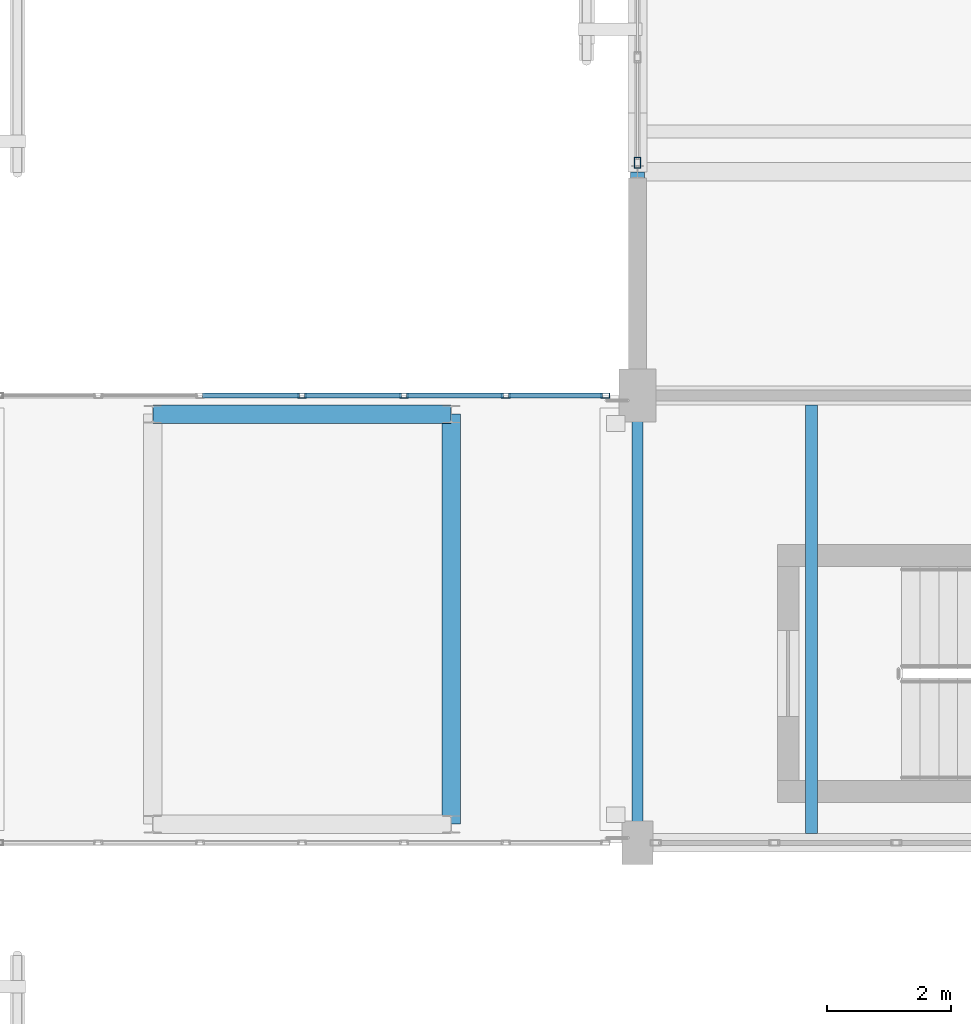
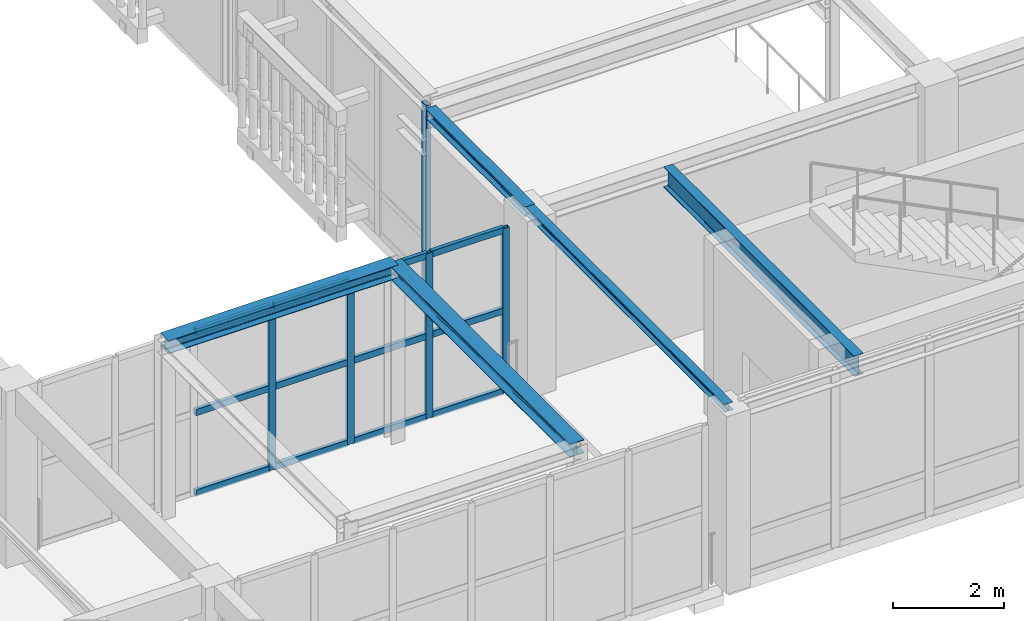
# One storey, part 69 of 170: 17 members, 5 beams, 2 elements without a shape of their own.
"""IFC4 building model written with IfcOpenShell, lengths in metres."""

from ifc_helpers import new_model, si_unit, direction, frame, origin, origin_2d, place, context, subcontext, project, spatial, hollow_rectangle, i_section, extrude, material, layer, layer_set, material_profile, profile_set, type_object, element, aggregate, save


model = new_model("IFC4")

# Units and contexts
model_context = context("Model", 3, precision=1e-05, world=origin(), true_north=direction((0.0, 1.0)))
body_context = subcontext(model_context, "Body", "Model", "MODEL_VIEW")
ifc_project = project(units=[si_unit("LENGTHUNIT", "METRE"), si_unit("AREAUNIT", "SQUARE_METRE"), si_unit("VOLUMEUNIT", "CUBIC_METRE"), si_unit("PLANEANGLEUNIT", "RADIAN"), si_unit("MASSUNIT", "GRAM", prefix="KILO")], contexts=[model_context])

# Site, building, storey
site_placement = place(None, origin())
site = spatial("IfcSite", under=ifc_project, at=site_placement, CompositionType="ELEMENT")
building_placement = place(site_placement, origin())
building = spatial("IfcBuilding", under=site, at=building_placement, Name="Mazaris Harbour Polytechnic", CompositionType="ELEMENT")
storey_placement = place(building_placement, frame((0.0, 0.0, 5.39990234375)))
storey = spatial("IfcBuildingStorey", under=building, at=storey_placement, Name="L01", CompositionType="ELEMENT", Elevation=5.39990234375)

# Curtain wall, member
ifc_material_1 = material(Name="Anodised Bronze Aluminium and Low-E Glass", Category="aluminium")
ifc_layer_1 = layer(ifc_material_1, 0.14990234375, Name="Anodised Bronze Aluminium and Low-E Glass")
ifc_layer_set_1 = layer_set([ifc_layer_1], Name="Anodised Bronze Aluminium and Low-E Glass")
curtain_wall_type_1 = type_object("IfcCurtainWallType", Name="Workshop Clerestory Curtain Wall", PredefinedType="NOTDEFINED", material=ifc_layer_set_1)
curtain_wall_1_placement = place(storey_placement, origin())
curtain_wall_1 = element("IfcCurtainWall", 1, at=curtain_wall_1_placement, inside=storey, type_object=curtain_wall_type_1, Name="V1 L01 Curtain Wall 21", PredefinedType="NOTDEFINED")
ifc_material_2 = material(Name="Anodised Bronze Steel S355", Category="steel")
ifc_material_profile_1 = material_profile(ifc_material_2, hollow_rectangle(XDim=0.10009765625, YDim=0.179931640625, WallThickness=0.008056640625, at=origin_2d()), Name="RHS 100x180x8.0")
ifc_profile_set_1 = profile_set([ifc_material_profile_1], Name="Anodised Bronze Steel S355")
member_type_1 = type_object("IfcMemberType", Name="Curtain Mullion RHS100x180", PredefinedType="MULLION", material=ifc_profile_set_1)
member_1_placement = place(storey_placement, frame((54.0, 86.547119140625, 0.0), z_axis=(0.0, 0.0, 1.0), x_axis=(-1.0, 0.0, 0.0)))
member_1 = element("IfcMember", 2, at=member_1_placement, type_object=member_type_1, Name="CW-04 mullion 1", PredefinedType="MULLION", context=body_context, shape_type="SweptSolid", body=[
    extrude(hollow_rectangle(XDim=0.10009765625, YDim=0.179931640625, WallThickness=0.008056640625, at=origin_2d()), origin(), (0.0, 0.0, 1.0), 3.920166015625),
])
aggregate(curtain_wall_1, [member_1])

# Curtain wall, members
ifc_material_3 = material(Name="Anodised Bronze Aluminium and Low-E Glass", Category="aluminium")
ifc_layer_2 = layer(ifc_material_3, 0.139892578125, Name="Anodised Bronze Aluminium and Low-E Glass")
ifc_layer_set_2 = layer_set([ifc_layer_2], Name="Anodised Bronze Aluminium and Low-E Glass")
curtain_wall_type_2 = type_object("IfcCurtainWallType", Name="Seismic Link Bridge Glazing", PredefinedType="NOTDEFINED", material=ifc_layer_set_2)
curtain_wall_2_placement = place(storey_placement, origin())
curtain_wall_2 = element("IfcCurtainWall", 3, at=curtain_wall_2_placement, inside=storey, type_object=curtain_wall_type_2, Name="PB-W2 L01 Bridge Glazing", PredefinedType="NOTDEFINED")
ifc_material_4 = material(Name="Anodised Bronze Steel S355", Category="steel")
ifc_material_profile_2 = material_profile(ifc_material_4, hollow_rectangle(XDim=0.080078125, YDim=0.139892578125, WallThickness=0.00634765625, at=origin_2d()), Name="RHS 80x140x6.3")
ifc_profile_set_2 = profile_set([ifc_material_profile_2], Name="Anodised Bronze Steel S355")
member_type_2 = type_object("IfcMemberType", Name="Curtain Mullion RHS80x140", PredefinedType="MULLION", material=ifc_profile_set_2)
member_2_placement = place(storey_placement, frame((53.47998046875, 82.800048828125, 0.0), z_axis=(0.0, 0.0, 1.0), x_axis=(0.0, -1.0, 0.0)))
member_2 = element("IfcMember", 4, at=member_2_placement, type_object=member_type_2, Name="CW-05 mullion 1", PredefinedType="MULLION", context=body_context, shape_type="SweptSolid", body=[
    extrude(hollow_rectangle(XDim=0.080078125, YDim=0.139892578125, WallThickness=0.00634765625, at=origin_2d()), origin(), (0.0, 0.0, 1.0), 3.635009765625),
])
member_3_placement = place(storey_placement, frame((51.8798828125, 82.800048828125, 0.0), z_axis=(0.0, 0.0, 1.0), x_axis=(0.0, -1.0, 0.0)))
member_3 = element("IfcMember", 5, at=member_3_placement, type_object=member_type_2, Name="CW-05 mullion 2", PredefinedType="MULLION", context=body_context, shape_type="SweptSolid", body=[
    extrude(hollow_rectangle(XDim=0.080078125, YDim=0.139892578125, WallThickness=0.00634765625, at=origin_2d()), origin(), (0.0, 0.0, 1.0), 3.635009765625),
])
member_4_placement = place(storey_placement, frame((50.239990234375, 82.800048828125, 0.0), z_axis=(0.0, 0.0, 1.0), x_axis=(0.0, -1.0, 0.0)))
member_4 = element("IfcMember", 6, at=member_4_placement, type_object=member_type_2, Name="CW-05 mullion 3", PredefinedType="MULLION", context=body_context, shape_type="SweptSolid", body=[
    extrude(hollow_rectangle(XDim=0.080078125, YDim=0.139892578125, WallThickness=0.00634765625, at=origin_2d()), origin(), (0.0, 0.0, 1.0), 3.635009765625),
])
member_5_placement = place(storey_placement, frame((48.60009765625, 82.800048828125, 0.0), z_axis=(0.0, 0.0, 1.0), x_axis=(0.0, -1.0, 0.0)))
member_5 = element("IfcMember", 7, at=member_5_placement, type_object=member_type_2, Name="CW-05 mullion 4", PredefinedType="MULLION", context=body_context, shape_type="SweptSolid", body=[
    extrude(hollow_rectangle(XDim=0.080078125, YDim=0.139892578125, WallThickness=0.00634765625, at=origin_2d()), origin(), (0.0, 0.0, 1.0), 3.635009765625),
])
ifc_material_5 = material(Name="Anodised Bronze Steel S355", Category="steel")
ifc_material_profile_3 = material_profile(ifc_material_5, hollow_rectangle(XDim=0.080078125, YDim=0.139892578125, WallThickness=0.00634765625, at=origin_2d()), Name="RHS 80x140x6.3")
ifc_profile_set_3 = profile_set([ifc_material_profile_3], Name="Anodised Bronze Steel S355")
member_type_3 = type_object("IfcMemberType", Name="Curtain Transom RHS80x140", PredefinedType="USERDEFINED", material=ifc_profile_set_3)
member_6_placement = place(storey_placement, frame((53.43994140625, 82.800048828125, 0.0400390625), z_axis=(-1.0, 0.0, 0.0), x_axis=(0.0, -1.0, 0.0)))
member_6 = element("IfcMember", 8, at=member_6_placement, type_object=member_type_3, Name="CW-05 transom 1.1", ObjectType="TRANSOM", PredefinedType="USERDEFINED", context=body_context, shape_type="SweptSolid", body=[
    extrude(hollow_rectangle(XDim=0.080078125, YDim=0.139892578125, WallThickness=0.00634765625, at=origin_2d()), origin(), (0.0, 0.0, 1.0), 1.52001953125),
])
member_7_placement = place(storey_placement, frame((53.43994140625, 82.800048828125, 1.817626953125), z_axis=(-1.0, 0.0, 0.0), x_axis=(0.0, -1.0, 0.0)))
member_7 = element("IfcMember", 9, at=member_7_placement, type_object=member_type_3, Name="CW-05 transom 1.2", ObjectType="TRANSOM", PredefinedType="USERDEFINED", context=body_context, shape_type="SweptSolid", body=[
    extrude(hollow_rectangle(XDim=0.080078125, YDim=0.139892578125, WallThickness=0.00634765625, at=origin_2d()), origin(), (0.0, 0.0, 1.0), 1.52001953125),
])
member_8_placement = place(storey_placement, frame((53.43994140625, 82.800048828125, 3.59521484375), z_axis=(-1.0, 0.0, 0.0), x_axis=(0.0, -1.0, 0.0)))
member_8 = element("IfcMember", 10, at=member_8_placement, type_object=member_type_3, Name="CW-05 transom 1.3", ObjectType="TRANSOM", PredefinedType="USERDEFINED", context=body_context, shape_type="SweptSolid", body=[
    extrude(hollow_rectangle(XDim=0.080078125, YDim=0.139892578125, WallThickness=0.00634765625, at=origin_2d()), origin(), (0.0, 0.0, 1.0), 1.52001953125),
])
member_9_placement = place(storey_placement, frame((51.840087890625, 82.800048828125, 0.0400390625), z_axis=(-1.0, 0.0, 0.0), x_axis=(0.0, -1.0, 0.0)))
member_9 = element("IfcMember", 11, at=member_9_placement, type_object=member_type_3, Name="CW-05 transom 2.1", ObjectType="TRANSOM", PredefinedType="USERDEFINED", context=body_context, shape_type="SweptSolid", body=[
    extrude(hollow_rectangle(XDim=0.080078125, YDim=0.139892578125, WallThickness=0.00634765625, at=origin_2d()), origin(), (0.0, 0.0, 1.0), 1.56005859375),
])
member_10_placement = place(storey_placement, frame((51.840087890625, 82.800048828125, 1.817626953125), z_axis=(-1.0, 0.0, 0.0), x_axis=(0.0, -1.0, 0.0)))
member_10 = element("IfcMember", 12, at=member_10_placement, type_object=member_type_3, Name="CW-05 transom 2.2", ObjectType="TRANSOM", PredefinedType="USERDEFINED", context=body_context, shape_type="SweptSolid", body=[
    extrude(hollow_rectangle(XDim=0.080078125, YDim=0.139892578125, WallThickness=0.00634765625, at=origin_2d()), origin(), (0.0, 0.0, 1.0), 1.56005859375),
])
member_11_placement = place(storey_placement, frame((51.840087890625, 82.800048828125, 3.59521484375), z_axis=(-1.0, 0.0, 0.0), x_axis=(0.0, -1.0, 0.0)))
member_11 = element("IfcMember", 13, at=member_11_placement, type_object=member_type_3, Name="CW-05 transom 2.3", ObjectType="TRANSOM", PredefinedType="USERDEFINED", context=body_context, shape_type="SweptSolid", body=[
    extrude(hollow_rectangle(XDim=0.080078125, YDim=0.139892578125, WallThickness=0.00634765625, at=origin_2d()), origin(), (0.0, 0.0, 1.0), 1.56005859375),
])
member_12_placement = place(storey_placement, frame((50.199951171875, 82.800048828125, 0.0400390625), z_axis=(-1.0, 0.0, 0.0), x_axis=(0.0, -1.0, 0.0)))
member_12 = element("IfcMember", 14, at=member_12_placement, type_object=member_type_3, Name="CW-05 transom 3.1", ObjectType="TRANSOM", PredefinedType="USERDEFINED", context=body_context, shape_type="SweptSolid", body=[
    extrude(hollow_rectangle(XDim=0.080078125, YDim=0.139892578125, WallThickness=0.00634765625, at=origin_2d()), origin(), (0.0, 0.0, 1.0), 1.56005859375),
])
member_13_placement = place(storey_placement, frame((50.199951171875, 82.800048828125, 1.817626953125), z_axis=(-1.0, 0.0, 0.0), x_axis=(0.0, -1.0, 0.0)))
member_13 = element("IfcMember", 15, at=member_13_placement, type_object=member_type_3, Name="CW-05 transom 3.2", ObjectType="TRANSOM", PredefinedType="USERDEFINED", context=body_context, shape_type="SweptSolid", body=[
    extrude(hollow_rectangle(XDim=0.080078125, YDim=0.139892578125, WallThickness=0.00634765625, at=origin_2d()), origin(), (0.0, 0.0, 1.0), 1.56005859375),
])
member_14_placement = place(storey_placement, frame((50.199951171875, 82.800048828125, 3.59521484375), z_axis=(-1.0, 0.0, 0.0), x_axis=(0.0, -1.0, 0.0)))
member_14 = element("IfcMember", 16, at=member_14_placement, type_object=member_type_3, Name="CW-05 transom 3.3", ObjectType="TRANSOM", PredefinedType="USERDEFINED", context=body_context, shape_type="SweptSolid", body=[
    extrude(hollow_rectangle(XDim=0.080078125, YDim=0.139892578125, WallThickness=0.00634765625, at=origin_2d()), origin(), (0.0, 0.0, 1.0), 1.56005859375),
])
member_15_placement = place(storey_placement, frame((48.56005859375, 82.800048828125, 0.0400390625), z_axis=(-1.0, 0.0, 0.0), x_axis=(0.0, -1.0, 0.0)))
member_15 = element("IfcMember", 17, at=member_15_placement, type_object=member_type_3, Name="CW-05 transom 4.1", ObjectType="TRANSOM", PredefinedType="USERDEFINED", context=body_context, shape_type="SweptSolid", body=[
    extrude(hollow_rectangle(XDim=0.080078125, YDim=0.139892578125, WallThickness=0.00634765625, at=origin_2d()), origin(), (0.0, 0.0, 1.0), 1.56005859375),
])
member_16_placement = place(storey_placement, frame((48.56005859375, 82.800048828125, 1.817626953125), z_axis=(-1.0, 0.0, 0.0), x_axis=(0.0, -1.0, 0.0)))
member_16 = element("IfcMember", 18, at=member_16_placement, type_object=member_type_3, Name="CW-05 transom 4.2", ObjectType="TRANSOM", PredefinedType="USERDEFINED", context=body_context, shape_type="SweptSolid", body=[
    extrude(hollow_rectangle(XDim=0.080078125, YDim=0.139892578125, WallThickness=0.00634765625, at=origin_2d()), origin(), (0.0, 0.0, 1.0), 1.56005859375),
])
member_17_placement = place(storey_placement, frame((48.56005859375, 82.800048828125, 3.59521484375), z_axis=(-1.0, 0.0, 0.0), x_axis=(0.0, -1.0, 0.0)))
member_17 = element("IfcMember", 19, at=member_17_placement, type_object=member_type_3, Name="CW-05 transom 4.3", ObjectType="TRANSOM", PredefinedType="USERDEFINED", context=body_context, shape_type="SweptSolid", body=[
    extrude(hollow_rectangle(XDim=0.080078125, YDim=0.139892578125, WallThickness=0.00634765625, at=origin_2d()), origin(), (0.0, 0.0, 1.0), 1.56005859375),
])
aggregate(curtain_wall_2, [member_2, member_3, member_4, member_5, member_6, member_7, member_8, member_9, member_10, member_11, member_12, member_13, member_14, member_15, member_16, member_17])

# Beams
ifc_material_6 = material(Name="Steel S355", Category="steel")
ifc_material_profile_4 = material_profile(ifc_material_6, i_section(OverallWidth=0.179931640625, OverallDepth=0.1708984375, WebThickness=0.006103515625, FlangeThickness=0.009521484375, FilletRadius=0.014892578125, at=origin_2d()), Name="HEA 180")
ifc_profile_set_4 = profile_set([ifc_material_profile_4], Name="Steel S355")
beam_type_1 = type_object("IfcBeamType", Name="Steel Beam HEA180 Exterior", PredefinedType="LINTEL", material=ifc_profile_set_4)
beam_1_placement = place(storey_placement, frame((54.0, 75.60009765625, 3.834716796875), z_axis=(0.0, 1.0, 0.0), x_axis=(-1.0, 0.0, 0.0)))
element("IfcBeam", 20, at=beam_1_placement, inside=storey, type_object=beam_type_1, Name="V1 L01 Tie Girder 252", PredefinedType="LINTEL", context=body_context, shape_type="SweptSolid", body=[
    extrude(i_section(OverallWidth=0.179931640625, OverallDepth=0.1708984375, WebThickness=0.006103515625, FlangeThickness=0.009521484375, FilletRadius=0.014892578125, at=origin_2d()), origin(), (0.0, 0.0, 1.0), 7.199951171875),
])
ifc_material_7 = material(Name="Steel S355", Category="steel")
ifc_material_profile_5 = material_profile(ifc_material_7, i_section(OverallWidth=0.219970703125, OverallDepth=0.2099609375, WebThickness=0.007080078125, FlangeThickness=0.010986328125, FilletRadius=0.01806640625, at=origin_2d()), Name="HEA 220")
ifc_profile_set_5 = profile_set([ifc_material_profile_5], Name="Steel S355")
beam_type_2 = type_object("IfcBeamType", Name="Steel Beam HEA220 Exterior", PredefinedType="LINTEL", material=ifc_profile_set_5)
beam_2_placement = place(storey_placement, frame((54.0, 82.800048828125, 3.815185546875), z_axis=(0.0, 1.0, 0.0), x_axis=(-1.0, 0.0, 0.0)))
element("IfcBeam", 21, at=beam_2_placement, inside=storey, type_object=beam_type_2, Name="V1 L01 Tie Girder 253", PredefinedType="LINTEL", context=body_context, shape_type="SweptSolid", body=[
    extrude(i_section(OverallWidth=0.219970703125, OverallDepth=0.2099609375, WebThickness=0.007080078125, FlangeThickness=0.010986328125, FilletRadius=0.01806640625, at=origin_2d()), origin(), (0.0, 0.0, 1.0), 3.599853515625),
])
ifc_material_8 = material(Name="Steel S355", Category="steel")
ifc_material_profile_6 = material_profile(ifc_material_8, i_section(OverallWidth=0.300048828125, OverallDepth=0.2900390625, WebThickness=0.008544921875, FlangeThickness=0.013916015625, FilletRadius=0.027099609375, at=origin_2d()), Name="HEA 300")
ifc_profile_set_6 = profile_set([ifc_material_profile_6], Name="Steel S355")
beam_type_3 = type_object("IfcBeamType", Name="Steel Beam HEA300 Exterior", PredefinedType="SPANDREL", material=ifc_profile_set_6)
beam_3_placement = place(storey_placement, frame((51.0, 75.89990234375, 3.7900390625), z_axis=(0.0, 1.0, 0.0), x_axis=(-1.0, 0.0, 0.0)))
element("IfcBeam", 22, at=beam_3_placement, inside=storey, type_object=beam_type_3, Name="PB-W2 L01 Bridge Beam 3429", PredefinedType="SPANDREL", context=body_context, shape_type="SweptSolid", body=[
    extrude(i_section(OverallWidth=0.300048828125, OverallDepth=0.2900390625, WebThickness=0.008544921875, FlangeThickness=0.013916015625, FilletRadius=0.027099609375, at=origin_2d()), origin(), (0.0, 0.0, 1.0), 6.60009765625),
])
beam_4_placement = place(storey_placement, frame((46.199951171875, 82.5, 3.7900390625), z_axis=(1.0, 0.0, 0.0), x_axis=(0.0, 1.0, 0.0)))
element("IfcBeam", 23, at=beam_4_placement, inside=storey, type_object=beam_type_3, Name="PB-W2 L01 Bridge Beam 3430", PredefinedType="SPANDREL", context=body_context, shape_type="SweptSolid", body=[
    extrude(i_section(OverallWidth=0.300048828125, OverallDepth=0.2900390625, WebThickness=0.008544921875, FlangeThickness=0.013916015625, FilletRadius=0.027099609375, at=origin_2d()), origin(), (0.0, 0.0, 1.0), 4.800048828125),
])
ifc_material_9 = material(Name="Steel S355", Category="steel")
ifc_material_profile_7 = material_profile(ifc_material_9, i_section(OverallWidth=0.18994140625, OverallDepth=0.449951171875, WebThickness=0.009521484375, FlangeThickness=0.0146484375, FilletRadius=0.02099609375, at=origin_2d()), Name="IPE 450")
ifc_profile_set_7 = profile_set([ifc_material_profile_7], Name="Steel S355")
beam_type_4 = type_object("IfcBeamType", Name="Steel Joist IPE450", PredefinedType="JOIST", material=ifc_profile_set_7)
beam_5_placement = place(storey_placement, frame((56.800048828125, 75.75, 3.695068359375), z_axis=(0.0, 1.0, 0.0), x_axis=(-1.0, 0.0, 0.0)))
element("IfcBeam", 24, at=beam_5_placement, inside=storey, type_object=beam_type_4, Name="V1 L01 Floor Joist 272", PredefinedType="JOIST", context=body_context, shape_type="SweptSolid", body=[
    extrude(i_section(OverallWidth=0.18994140625, OverallDepth=0.449951171875, WebThickness=0.009521484375, FlangeThickness=0.0146484375, FilletRadius=0.02099609375, at=origin_2d()), origin(), (0.0, 0.0, 1.0), 6.89990234375),
])

save(model, "model.ifc")
